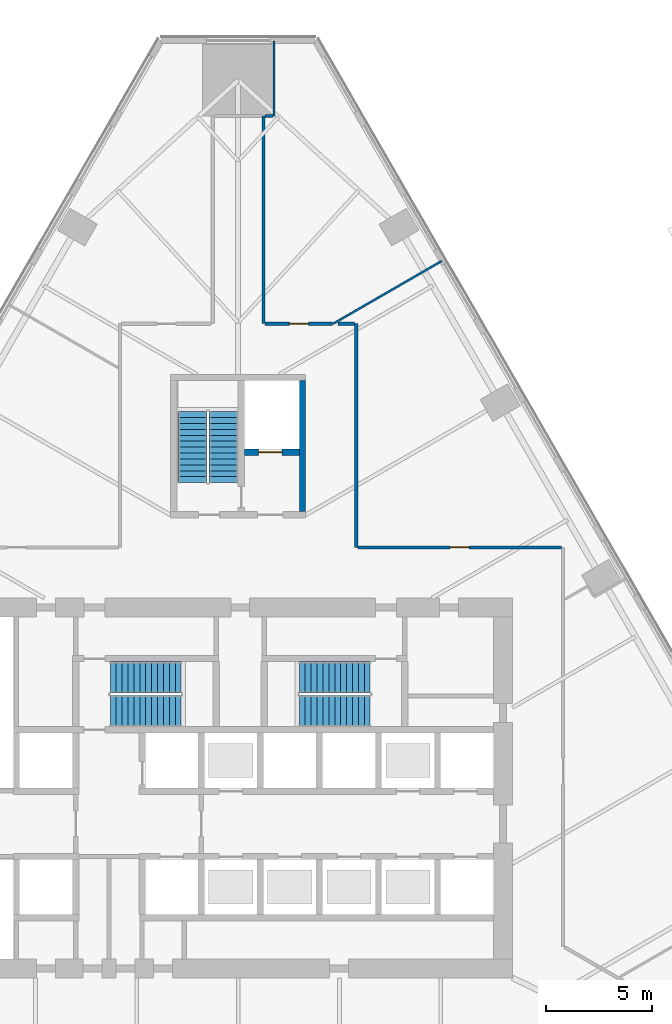
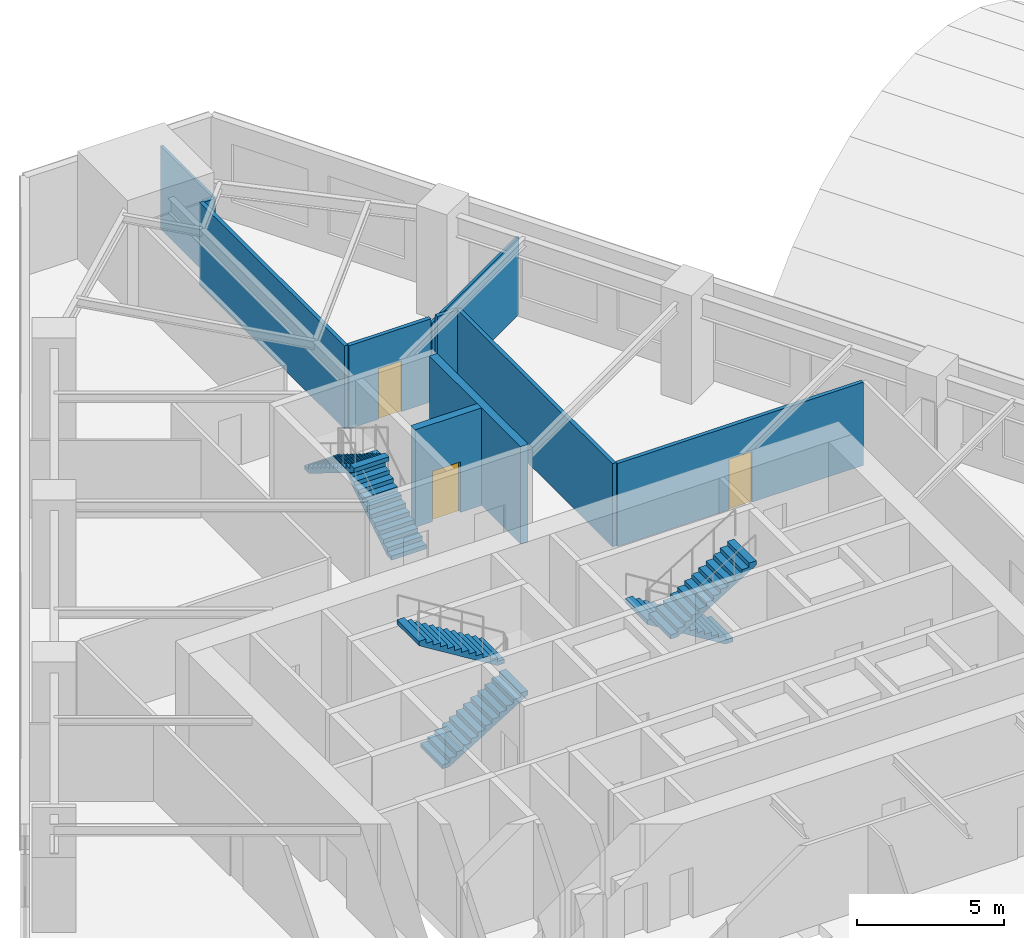
# One storey, part 9 of 11: 10 walls, 6 stair flights, 3 doors, 3 openings, 3 elements without a shape of their own.
"""IFC4 building model written with IfcOpenShell, lengths in metres."""

from ifc_helpers import new_model, si_unit, direction, frame, frame_2d, origin, place, context, subcontext, project, spatial, polyline, rectangle, outline, extrude, material, layer, layer_set, type_object, element, fill, aggregate, save


model = new_model("IFC4")

# Units and contexts
model_context = context("Model", 3, precision=1e-05, world=origin(), true_north=direction((0.0, 1.0)))
body_context = subcontext(model_context, "Body", "Model", "MODEL_VIEW")
ifc_project = project(units=[si_unit("LENGTHUNIT", "METRE"), si_unit("AREAUNIT", "SQUARE_METRE"), si_unit("VOLUMEUNIT", "CUBIC_METRE"), si_unit("PLANEANGLEUNIT", "RADIAN"), si_unit("MASSUNIT", "GRAM", prefix="KILO")], contexts=[model_context])

# Site, building, storey
site_placement = place(None, origin())
site = spatial("IfcSite", under=ifc_project, at=site_placement, CompositionType="ELEMENT")
building_placement = place(site_placement, origin())
building = spatial("IfcBuilding", under=site, at=building_placement, Name="Firuza Gate Tower and Library", CompositionType="ELEMENT")
storey_placement = place(building_placement, frame((0.0, 0.0, 31.0)))
storey = spatial("IfcBuildingStorey", under=building, at=storey_placement, Name="L06", CompositionType="ELEMENT", Elevation=31.0)

# Wall
ifc_material_1 = material(Name="Concrete C80/95", Category="concrete")
ifc_layer_1 = layer(ifc_material_1, 0.300048828125)
ifc_layer_set_1 = layer_set([ifc_layer_1], Name="Core wall 300 C80/95")
wall_type_1 = type_object("IfcWallType", Name="Core wall 300 C80/95", PredefinedType="SHEAR", material=ifc_layer_set_1)
wall_1_placement = place(storey_placement, frame((78.050048828125, 88.10009765625, 0.0), z_axis=(0.0, 0.0, 1.0), x_axis=(0.0, 1.0, 0.0)))
element("IfcWall", 1, at=wall_1_placement, inside=storey, type_object=wall_type_1, Name="Core wall L06 37", PredefinedType="SHEAR", context=body_context, shape_type="SweptSolid", body=[
    extrude(rectangle(XDim=6.199951171875, YDim=0.300048828125, at=frame_2d((3.10009765625, 0.0))), origin(), (0.0, 0.0, 1.0), 4.050048828125),
])

# Wall, opening, door
wall_2_placement = place(storey_placement, frame((75.300048828125, 90.89990234375, 0.0), z_axis=(0.0, 0.0, 1.0), x_axis=(1.0, 0.0, 0.0)))
wall_2 = element("IfcWall", 2, at=wall_2_placement, inside=storey, type_object=wall_type_1, Name="Core wall L06 38", PredefinedType="SHEAR", context=body_context, shape_type="SweptSolid", body=[
    extrude(rectangle(XDim=2.599853515625, YDim=0.300048828125, at=frame_2d((1.2998046875, 0.0))), origin(), (0.0, 0.0, 1.0), 4.050048828125),
])
opening_1_placement = place(wall_2_placement, frame((0.675048828125, 0.0, 0.0)))
opening_1 = element("IfcOpeningElement", 3, at=opening_1_placement, cuts=wall_2, Name="Opening LD-SV1-L06", PredefinedType="OPENING", context=body_context, shape_type="SweptSolid", body=[
    extrude(rectangle(XDim=1.10009765625, YDim=2.10009765625, at=frame_2d((0.550048828125, 1.050048828125))), frame((0.0, 0.16015625, 0.0), z_axis=(0.0, -1.0, 0.0), x_axis=(1.0, 0.0, 0.0)), (0.0, 0.0, 1.0), 0.320068359375),
])
ifc_material_2 = material(Name="Stainless steel", Category="steel")
door_type_1 = type_object("IfcDoorType", Name="Lift landing door 1100x2100", OperationType="DOUBLE_DOOR_SLIDING", PredefinedType="DOOR", material=ifc_material_2)
door_1_placement = place(opening_1_placement, origin())
door_1 = element("IfcDoor", 4, at=door_1_placement, inside=storey, type_object=door_type_1, Name="Landing door SV1 L06", OperationType="DOUBLE_DOOR_SLIDING", OverallHeight=2.10009765625, OverallWidth=1.10009765625, PredefinedType="DOOR", context=body_context, shape_type="SweptSolid", body=[
    extrude(rectangle(XDim=1.10009765625, YDim=2.10009765625, at=frame_2d((0.550048828125, 1.050048828125))), frame((0.0, 0.02490234375, 0.0), z_axis=(0.0, -1.0, 0.0), x_axis=(1.0, 0.0, 0.0)), (0.0, 0.0, 1.0), 0.050048828125),
])
fill(opening_1, door_1)

ifc_material_3 = material(Name="Gypsum board partition")
ifc_layer_2 = layer(ifc_material_3, 0.14990234375)
ifc_layer_set_2 = layer_set([ifc_layer_2], Name="Corridor wall 150 double board on steel studs")
wall_type_2 = type_object("IfcWallType", Name="Corridor wall 150 double board on steel studs", PredefinedType="PARTITIONING", material=ifc_layer_set_2)
wall_3_placement = place(storey_placement, frame((80.675048828125, 86.39990234375, 0.0), z_axis=(0.0, 0.0, 1.0), x_axis=(1.0, 0.0, 0.0)))
wall_3 = element("IfcWall", 5, at=wall_3_placement, inside=storey, type_object=wall_type_2, Name="f:L06:w002", PredefinedType="PARTITIONING", context=body_context, shape_type="SweptSolid", body=[
    extrude(rectangle(XDim=9.6494140625, YDim=0.14990234375, at=frame_2d((4.82470703125, 0.0))), origin(), (0.0, 0.0, 1.0), 3.449951171875),
])
opening_2_placement = place(wall_3_placement, frame((4.374755859375, 0.0, 0.0)))
opening_2 = element("IfcOpeningElement", 6, at=opening_2_placement, cuts=wall_3, Name="Opening L06-05", PredefinedType="OPENING", context=body_context, shape_type="SweptSolid", body=[
    extrude(rectangle(XDim=0.89990234375, YDim=2.10009765625, at=frame_2d((0.449951171875, 1.050048828125))), frame((0.0, 0.0849609375, 0.0), z_axis=(0.0, -1.0, 0.0), x_axis=(1.0, 0.0, 0.0)), (0.0, 0.0, 1.0), 0.169921875),
])
ifc_material_4 = material(Name="Steel door and timber leaf", Category="steel")
door_type_2 = type_object("IfcDoorType", Name="Fire door 900 x 2100 steel frame, timber leaf", OperationType="NOTDEFINED", PredefinedType="DOOR", material=ifc_material_4)
door_2_placement = place(opening_2_placement, origin())
door_2 = element("IfcDoor", 7, at=door_2_placement, inside=storey, type_object=door_type_2, Name="f:L06:d005", OperationType="SINGLE_SWING_LEFT", OverallHeight=2.10009765625, OverallWidth=0.89990234375, PredefinedType="DOOR", context=body_context, shape_type="SweptSolid", body=[
    extrude(rectangle(XDim=0.89990234375, YDim=2.10009765625, at=frame_2d((0.449951171875, 1.050048828125))), frame((0.0, 0.02490234375, 0.0), z_axis=(0.0, -1.0, 0.0), x_axis=(1.0, 0.0, 0.0)), (0.0, 0.0, 1.0), 0.050048828125),
])
fill(opening_2, door_2)

wall_4_placement = place(storey_placement, frame((76.27490234375, 97.0, 0.0), z_axis=(0.0, 0.0, 1.0), x_axis=(1.0, 0.0, 0.0)))
wall_4 = element("IfcWall", 8, at=wall_4_placement, inside=storey, type_object=wall_type_2, Name="f:L06:w004", PredefinedType="PARTITIONING", context=body_context, shape_type="SweptSolid", body=[
    extrude(rectangle(XDim=3.205078125, YDim=0.14990234375, at=frame_2d((1.6025390625, 0.0))), origin(), (0.0, 0.0, 1.0), 3.449951171875),
])
opening_3_placement = place(wall_4_placement, frame((1.152587890625, 0.0, 0.0)))
opening_3 = element("IfcOpeningElement", 9, at=opening_3_placement, cuts=wall_4, Name="Opening L06-07", PredefinedType="OPENING", context=body_context, shape_type="SweptSolid", body=[
    extrude(rectangle(XDim=0.89990234375, YDim=2.10009765625, at=frame_2d((0.449951171875, 1.050048828125))), frame((0.0, 0.0849609375, 0.0), z_axis=(0.0, -1.0, 0.0), x_axis=(1.0, 0.0, 0.0)), (0.0, 0.0, 1.0), 0.169921875),
])
door_3_placement = place(opening_3_placement, origin())
door_3 = element("IfcDoor", 10, at=door_3_placement, inside=storey, type_object=door_type_2, Name="f:L06:d007", OperationType="SINGLE_SWING_RIGHT", OverallHeight=2.10009765625, OverallWidth=0.89990234375, PredefinedType="DOOR", context=body_context, shape_type="SweptSolid", body=[
    extrude(rectangle(XDim=0.89990234375, YDim=2.10009765625, at=frame_2d((0.449951171875, 1.050048828125))), frame((0.0, 0.02490234375, 0.0), z_axis=(0.0, -1.0, 0.0), x_axis=(1.0, 0.0, 0.0)), (0.0, 0.0, 1.0), 0.050048828125),
])
fill(opening_3, door_3)

# Walls
wall_5_placement = place(storey_placement, frame((80.60009765625, 86.39990234375, 0.0), z_axis=(0.0, 0.0, 1.0), x_axis=(0.0, 1.0, 0.0)))
element("IfcWall", 11, at=wall_5_placement, inside=storey, type_object=wall_type_2, Name="f:L06:w017", PredefinedType="PARTITIONING", context=body_context, shape_type="SweptSolid", body=[
    extrude(rectangle(XDim=10.599609375, YDim=0.14990234375, at=frame_2d((5.2998046875, 0.0))), origin(), (0.0, 0.0, 1.0), 3.449951171875),
])
wall_6_placement = place(storey_placement, frame((76.199951171875, 97.0, 0.0), z_axis=(0.0, 0.0, 1.0), x_axis=(0.0, 1.0, 0.0)))
element("IfcWall", 12, at=wall_6_placement, inside=storey, type_object=wall_type_2, Name="f:L06:w020", PredefinedType="PARTITIONING", context=body_context, shape_type="SweptSolid", body=[
    extrude(rectangle(XDim=9.833740234375, YDim=0.14990234375, at=frame_2d((4.9169921875, 0.0))), origin(), (0.0, 0.0, 1.0), 3.449951171875),
])
wall_7_placement = place(storey_placement, frame((79.73486328125, 97.0, 0.0), z_axis=(0.0, 0.0, 1.0), x_axis=(1.0, 0.0, 0.0)))
element("IfcWall", 13, at=wall_7_placement, inside=storey, type_object=wall_type_2, Name="f:L06:w034", PredefinedType="PARTITIONING", context=body_context, shape_type="SweptSolid", body=[
    extrude(rectangle(XDim=0.78955078125, YDim=0.14990234375, at=frame_2d((0.394775390625, 0.0))), origin(), (0.0, 0.0, 1.0), 3.449951171875),
])
wall_8_placement = place(storey_placement, frame((76.27490234375, 106.833984375, 0.0), z_axis=(0.0, 0.0, 1.0), x_axis=(1.0, 0.0, 0.0)))
element("IfcWall", 14, at=wall_8_placement, inside=storey, type_object=wall_type_2, Name="f:L06:w035", PredefinedType="PARTITIONING", context=body_context, shape_type="SweptSolid", body=[
    extrude(rectangle(XDim=0.37451171875, YDim=0.14990234375, at=frame_2d((0.187255859375, 0.0))), origin(), (0.0, 0.0, 1.0), 3.449951171875),
])
ifc_material_5 = material(Name="Gypsum board partition")
ifc_layer_3 = layer(ifc_material_5, 0.10009765625)
ifc_layer_set_3 = layer_set([ifc_layer_3], Name="Partition 100 gypsum board on steel studs")
wall_type_3 = type_object("IfcWallType", Name="Partition 100 gypsum board on steel studs", PredefinedType="PARTITIONING", material=ifc_layer_set_3)
wall_9_placement = place(storey_placement, frame((79.505126953125, 97.0, 0.0), z_axis=(0.0, 0.0, 1.0), x_axis=(0.866009767966, 0.500027081053, 0.0)))
element("IfcWall", 15, at=wall_9_placement, inside=storey, type_object=wall_type_3, Name="f:L06:w012", PredefinedType="PARTITIONING", context=body_context, shape_type="SweptSolid", body=[
    extrude(rectangle(XDim=5.943115234375, YDim=0.10009765625, at=frame_2d((2.9716796875, 0.0))), origin(), (0.0, 0.0, 1.0), 3.215087890625),
])
wall_10_placement = place(storey_placement, frame((76.699951171875, 106.834228515625, 0.0), z_axis=(0.0, 0.0, 1.0), x_axis=(0.0, 1.0, 0.0)))
element("IfcWall", 16, at=wall_10_placement, inside=storey, type_object=wall_type_3, Name="f:L06:w019", PredefinedType="PARTITIONING", context=body_context, shape_type="SweptSolid", body=[
    extrude(rectangle(XDim=3.5595703125, YDim=0.10009765625, at=frame_2d((1.77978515625, 0.0))), origin(), (0.0, 0.0, 1.0), 3.449951171875),
])

# Stair, stair flights
ifc_material_6 = material(Name="Concrete C35/45", Category="concrete")
stair_type_1 = type_object("IfcStairType", Name="Exit stair ST10", PredefinedType="HALF_TURN_STAIR", material=ifc_material_6)
placement = place(storey_placement, origin())
stair_1 = element("IfcStair", 17, at=placement, inside=storey, type_object=stair_type_1, Name="L06 Stair ST3", PredefinedType="HALF_TURN_STAIR")
ifc_material_7 = material(Name="Concrete C35/45", Category="concrete")
stair_flight_type_1 = type_object("IfcStairFlightType", Name="Stair flight 13 risers 173.1 width 1370", PredefinedType="STRAIGHT", material=ifc_material_7)
stair_flight_1_placement = place(storey_placement, frame((74.31494140625, 89.469970703125, 0.0), z_axis=(0.0, 0.0, 1.0), x_axis=(0.0, 1.0, 0.0)))
stair_flight_1 = element("IfcStairFlight", 18, at=stair_flight_1_placement, type_object=stair_flight_type_1, Name="ST3 flight 1", NumberOfRisers=13, NumberOfTreads=12, PredefinedType="STRAIGHT", RiserHeight=0.173076923, TreadLength=0.28, context=body_context, shape_type="SweptSolid", body=[
    extrude(outline(polyline([(0.0, 0.0), (0.0, 0.173095703125), (0.280029296875, 0.173095703125), (0.280029296875, 0.34619140625), (0.56005859375, 0.34619140625), (0.56005859375, 0.519287109375), (0.840087890625, 0.519287109375), (0.840087890625, 0.6923828125), (1.1201171875, 0.6923828125), (1.1201171875, 0.865478515625), (1.39990234375, 0.865478515625), (1.39990234375, 1.03857421875), (1.679931640625, 1.03857421875), (1.679931640625, 1.21142578125), (1.9599609375, 1.21142578125), (1.9599609375, 1.384521484375), (2.239990234375, 1.384521484375), (2.239990234375, 1.5576171875), (2.52001953125, 1.5576171875), (2.52001953125, 1.730712890625), (2.800048828125, 1.730712890625), (2.800048828125, 1.90380859375), (3.080078125, 1.90380859375), (3.080078125, 2.076904296875), (3.360107421875, 2.076904296875), (3.360107421875, 2.25), (3.360107421875, 1.900634765625), (0.28515625, 0.0), (0.0, 0.0)])), frame((0.0, 0.68505859375, 0.0), z_axis=(0.0, -1.0, 0.0), x_axis=(1.0, 0.0, 0.0)), (0.0, 0.0, 1.0), 1.3701171875),
])
stair_flight_2_placement = place(storey_placement, frame((72.844970703125, 92.830078125, 2.25), z_axis=(0.0, 0.0, 1.0), x_axis=(0.0, -1.0, 0.0)))
stair_flight_2 = element("IfcStairFlight", 19, at=stair_flight_2_placement, type_object=stair_flight_type_1, Name="ST3 flight 2", NumberOfRisers=13, NumberOfTreads=12, PredefinedType="STRAIGHT", RiserHeight=0.173076923, TreadLength=0.28, context=body_context, shape_type="SweptSolid", body=[
    extrude(outline(polyline([(0.0, 0.0), (0.0, 0.173095703125), (0.280029296875, 0.173095703125), (0.280029296875, 0.34619140625), (0.56005859375, 0.34619140625), (0.56005859375, 0.519287109375), (0.840087890625, 0.519287109375), (0.840087890625, 0.6923828125), (1.1201171875, 0.6923828125), (1.1201171875, 0.865478515625), (1.39990234375, 0.865478515625), (1.39990234375, 1.03857421875), (1.679931640625, 1.03857421875), (1.679931640625, 1.21142578125), (1.9599609375, 1.21142578125), (1.9599609375, 1.384521484375), (2.239990234375, 1.384521484375), (2.239990234375, 1.5576171875), (2.52001953125, 1.5576171875), (2.52001953125, 1.730712890625), (2.800048828125, 1.730712890625), (2.800048828125, 1.90380859375), (3.080078125, 1.90380859375), (3.080078125, 2.076904296875), (3.360107421875, 2.076904296875), (3.360107421875, 2.25), (3.360107421875, 1.900634765625), (0.28515625, 0.0), (0.0, 0.0)])), frame((0.0, 0.68505859375, 0.0), z_axis=(0.0, -1.0, 0.0), x_axis=(1.0, 0.0, 0.0)), (0.0, 0.0, 1.0), 1.3701171875),
])
aggregate(stair_1, [stair_flight_1, stair_flight_2])

ifc_material_8 = material(Name="Concrete C35/45", Category="concrete")
stair_type_2 = type_object("IfcStairType", Name="Exit stair ST1", PredefinedType="HALF_TURN_STAIR", material=ifc_material_8)
stair_2 = element("IfcStair", 20, at=placement, inside=storey, type_object=stair_type_2, Name="L06 Stair ST1", PredefinedType="HALF_TURN_STAIR")
ifc_material_9 = material(Name="Concrete C35/45", Category="concrete")
stair_flight_type_2 = type_object("IfcStairFlightType", Name="Stair flight 13 risers 173.1 width 1490", PredefinedType="STRAIGHT", material=ifc_material_9)
stair_flight_3_placement = place(storey_placement, frame((68.93994140625, 78.64501953125, 0.0), z_axis=(0.0, 0.0, 1.0), x_axis=(1.0, 0.0, 0.0)))
stair_flight_3 = element("IfcStairFlight", 21, at=stair_flight_3_placement, type_object=stair_flight_type_2, Name="ST1 flight 1", NumberOfRisers=13, NumberOfTreads=12, PredefinedType="STRAIGHT", RiserHeight=0.173076923, TreadLength=0.28, context=body_context, shape_type="SweptSolid", body=[
    extrude(outline(polyline([(0.0, 0.0), (0.0, 0.173095703125), (0.280029296875, 0.173095703125), (0.280029296875, 0.34619140625), (0.56005859375, 0.34619140625), (0.56005859375, 0.519287109375), (0.840087890625, 0.519287109375), (0.840087890625, 0.6923828125), (1.1201171875, 0.6923828125), (1.1201171875, 0.865478515625), (1.39990234375, 0.865478515625), (1.39990234375, 1.03857421875), (1.679931640625, 1.03857421875), (1.679931640625, 1.21142578125), (1.9599609375, 1.21142578125), (1.9599609375, 1.384521484375), (2.239990234375, 1.384521484375), (2.239990234375, 1.5576171875), (2.52001953125, 1.5576171875), (2.52001953125, 1.730712890625), (2.800048828125, 1.730712890625), (2.800048828125, 1.90380859375), (3.080078125, 1.90380859375), (3.080078125, 2.076904296875), (3.360107421875, 2.076904296875), (3.360107421875, 2.25), (3.360107421875, 1.900634765625), (0.28515625, 0.0), (0.0, 0.0)])), frame((0.0, 0.7451171875, 0.0), z_axis=(0.0, -1.0, 0.0), x_axis=(1.0, 0.0, 0.0)), (0.0, 0.0, 1.0), 1.489990234375),
])
stair_flight_4_placement = place(storey_placement, frame((72.300048828125, 80.235107421875, 2.25), z_axis=(0.0, 0.0, 1.0), x_axis=(-1.0, 0.0, 0.0)))
stair_flight_4 = element("IfcStairFlight", 22, at=stair_flight_4_placement, type_object=stair_flight_type_2, Name="ST1 flight 2", NumberOfRisers=13, NumberOfTreads=12, PredefinedType="STRAIGHT", RiserHeight=0.173076923, TreadLength=0.28, context=body_context, shape_type="SweptSolid", body=[
    extrude(outline(polyline([(0.0, 0.0), (0.0, 0.173095703125), (0.280029296875, 0.173095703125), (0.280029296875, 0.34619140625), (0.56005859375, 0.34619140625), (0.56005859375, 0.519287109375), (0.840087890625, 0.519287109375), (0.840087890625, 0.6923828125), (1.1201171875, 0.6923828125), (1.1201171875, 0.865478515625), (1.39990234375, 0.865478515625), (1.39990234375, 1.03857421875), (1.679931640625, 1.03857421875), (1.679931640625, 1.21142578125), (1.9599609375, 1.21142578125), (1.9599609375, 1.384521484375), (2.239990234375, 1.384521484375), (2.239990234375, 1.5576171875), (2.52001953125, 1.5576171875), (2.52001953125, 1.730712890625), (2.800048828125, 1.730712890625), (2.800048828125, 1.90380859375), (3.080078125, 1.90380859375), (3.080078125, 2.076904296875), (3.360107421875, 2.076904296875), (3.360107421875, 2.25), (3.360107421875, 1.900634765625), (0.28515625, 0.0), (0.0, 0.0)])), frame((0.0, 0.7451171875, 0.0), z_axis=(0.0, -1.0, 0.0), x_axis=(1.0, 0.0, 0.0)), (0.0, 0.0, 1.0), 1.489990234375),
])
aggregate(stair_2, [stair_flight_3, stair_flight_4])

stair_3 = element("IfcStair", 23, at=placement, inside=storey, type_object=stair_type_2, Name="L06 Stair ST2", PredefinedType="HALF_TURN_STAIR")
stair_flight_5_placement = place(storey_placement, frame((81.260009765625, 80.235107421875, 0.0), z_axis=(0.0, 0.0, 1.0), x_axis=(-1.0, 0.0, 0.0)))
stair_flight_5 = element("IfcStairFlight", 24, at=stair_flight_5_placement, type_object=stair_flight_type_2, Name="ST2 flight 1", NumberOfRisers=13, NumberOfTreads=12, PredefinedType="STRAIGHT", RiserHeight=0.173076923, TreadLength=0.28, context=body_context, shape_type="SweptSolid", body=[
    extrude(outline(polyline([(0.0, 0.0), (0.0, 0.173095703125), (0.280029296875, 0.173095703125), (0.280029296875, 0.34619140625), (0.56005859375, 0.34619140625), (0.56005859375, 0.519287109375), (0.840087890625, 0.519287109375), (0.840087890625, 0.6923828125), (1.1201171875, 0.6923828125), (1.1201171875, 0.865478515625), (1.39990234375, 0.865478515625), (1.39990234375, 1.03857421875), (1.679931640625, 1.03857421875), (1.679931640625, 1.21142578125), (1.9599609375, 1.21142578125), (1.9599609375, 1.384521484375), (2.239990234375, 1.384521484375), (2.239990234375, 1.5576171875), (2.52001953125, 1.5576171875), (2.52001953125, 1.730712890625), (2.800048828125, 1.730712890625), (2.800048828125, 1.90380859375), (3.080078125, 1.90380859375), (3.080078125, 2.076904296875), (3.360107421875, 2.076904296875), (3.360107421875, 2.25), (3.360107421875, 1.900634765625), (0.28515625, 0.0), (0.0, 0.0)])), frame((0.0, 0.7451171875, 0.0), z_axis=(0.0, -1.0, 0.0), x_axis=(1.0, 0.0, 0.0)), (0.0, 0.0, 1.0), 1.489990234375),
])
stair_flight_6_placement = place(storey_placement, frame((77.89990234375, 78.64501953125, 2.25), z_axis=(0.0, 0.0, 1.0), x_axis=(1.0, 0.0, 0.0)))
stair_flight_6 = element("IfcStairFlight", 25, at=stair_flight_6_placement, type_object=stair_flight_type_2, Name="ST2 flight 2", NumberOfRisers=13, NumberOfTreads=12, PredefinedType="STRAIGHT", RiserHeight=0.173076923, TreadLength=0.28, context=body_context, shape_type="SweptSolid", body=[
    extrude(outline(polyline([(0.0, 0.0), (0.0, 0.173095703125), (0.280029296875, 0.173095703125), (0.280029296875, 0.34619140625), (0.56005859375, 0.34619140625), (0.56005859375, 0.519287109375), (0.840087890625, 0.519287109375), (0.840087890625, 0.6923828125), (1.1201171875, 0.6923828125), (1.1201171875, 0.865478515625), (1.39990234375, 0.865478515625), (1.39990234375, 1.03857421875), (1.679931640625, 1.03857421875), (1.679931640625, 1.21142578125), (1.9599609375, 1.21142578125), (1.9599609375, 1.384521484375), (2.239990234375, 1.384521484375), (2.239990234375, 1.5576171875), (2.52001953125, 1.5576171875), (2.52001953125, 1.730712890625), (2.800048828125, 1.730712890625), (2.800048828125, 1.90380859375), (3.080078125, 1.90380859375), (3.080078125, 2.076904296875), (3.360107421875, 2.076904296875), (3.360107421875, 2.25), (3.360107421875, 1.900634765625), (0.28515625, 0.0), (0.0, 0.0)])), frame((0.0, 0.7451171875, 0.0), z_axis=(0.0, -1.0, 0.0), x_axis=(1.0, 0.0, 0.0)), (0.0, 0.0, 1.0), 1.489990234375),
])
aggregate(stair_3, [stair_flight_5, stair_flight_6])

save(model, "model.ifc")
